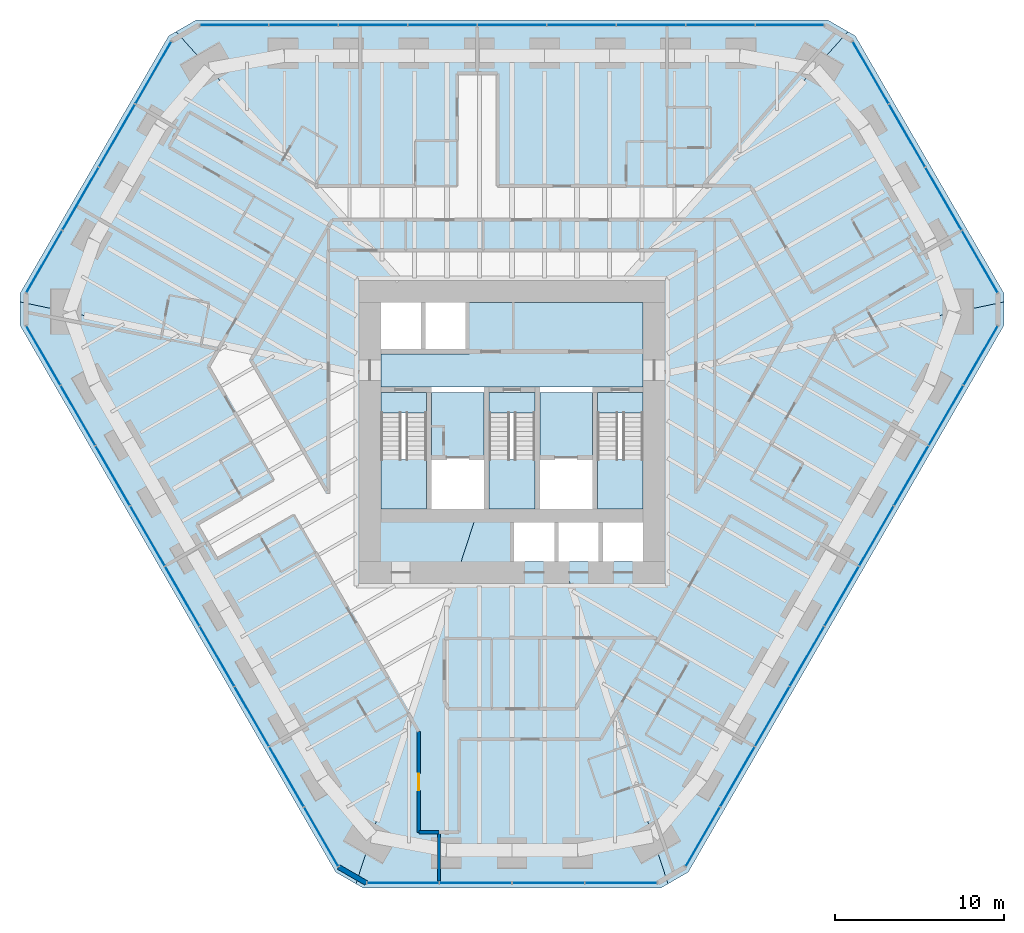
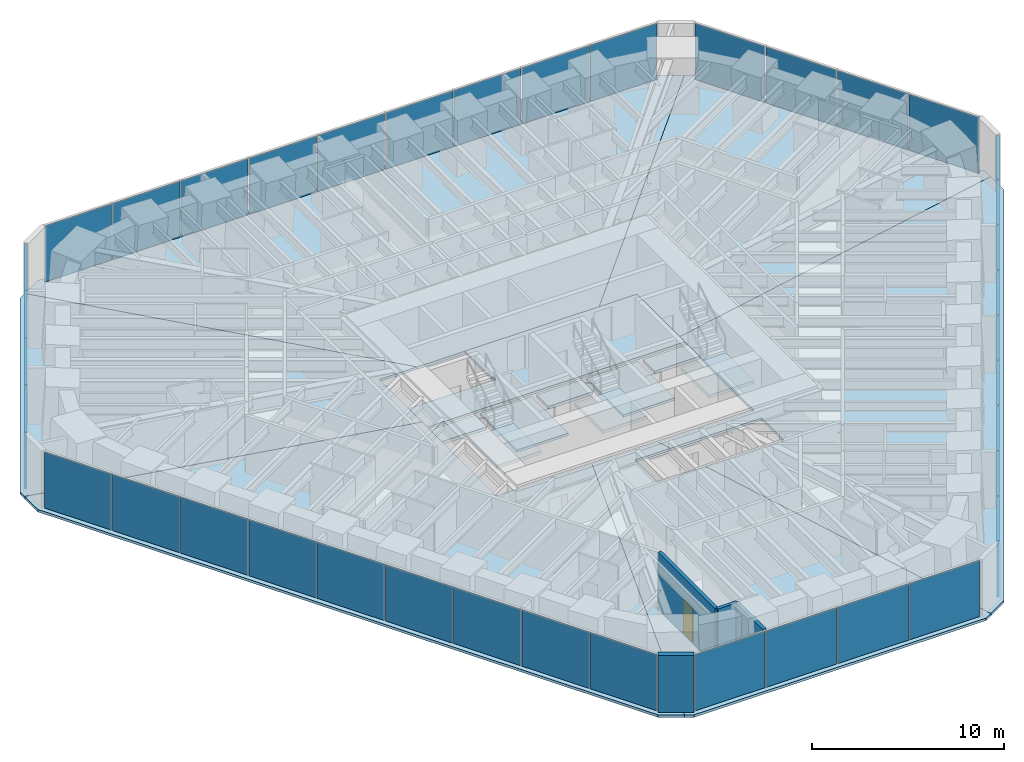
# One storey, part 10 of 18: 39 plates, 15 slabs, 4 walls, 1 door, 1 opening, 9 elements without a shape of their own.
"""IFC4 building model written with IfcOpenShell, lengths in metres."""

import ifcopenshell
import ifcopenshell.guid

model = None  # the IFC model being written
_history = None  # IfcOwnerHistory: only IFC2X3 demands one
_inside = {}  # id of a spatial element -> (the spatial element, [elements in it])
_under = {}  # id of a project, library or spatial element -> (it, [spatial elements below it])
_declared = {}  # id of a project -> (the project, [libraries it declares])
_typed = {}  # id of a type object -> (the type object, [elements of that type])
_made_of = {}  # id of a material, layer set ... -> (it, [elements and type objects made of it])


def new_model(schema):
    """Start an empty IFC model of exactly this schema.

    Asked for "IFC4X3", IfcOpenShell would pick the latest addendum, in which some entities
    have other attributes; the version numbers below select the first issue.
    IFC2X3 requires an IfcOwnerHistory on every rooted entity: one is made here for all.
    """
    global model, _history
    if schema == "IFC4X3":
        model = ifcopenshell.file(schema_version=(4, 3, 0, 0))
    else:
        model = ifcopenshell.file(schema=schema)
    _inside.clear()
    _under.clear()
    _declared.clear()
    _typed.clear()
    _made_of.clear()
    _history = None
    if model.schema == "IFC2X3":
        org = make("IfcOrganization", Name="unknown")
        user = make(
            "IfcPersonAndOrganization",
            ThePerson=make("IfcPerson", FamilyName="unknown"),
            TheOrganization=org,
        )
        app = make(
            "IfcApplication",
            ApplicationDeveloper=org,
            Version="unknown",
            ApplicationFullName="unknown",
            ApplicationIdentifier="unknown",
        )
        _history = make(
            "IfcOwnerHistory",
            OwningUser=user,
            OwningApplication=app,
            ChangeAction="ADDED",
            CreationDate=0,
        )
    return model


def make(cls, **values):
    """One entity of the class cls with the attributes given. An attribute that is None is left unset."""
    return model.create_entity(
        cls, **{name: value for name, value in values.items() if value is not None}
    )


def rooted(cls, **values):
    """An entity with a GlobalId (a new one), such as an element, a storey or a relation."""
    return make(cls, GlobalId=ifcopenshell.guid.new(), OwnerHistory=_history, **values)


def si_unit(unit_type, name, prefix=None):
    """IfcSIUnit, for example si_unit("LENGTHUNIT", "METRE", prefix="MILLI")."""
    return make("IfcSIUnit", UnitType=unit_type, Prefix=prefix, Name=name)


def assignment(units):
    """IfcUnitAssignment: the units of a project."""
    return None if units is None else make("IfcUnitAssignment", Units=units)


def point(xyz):
    """IfcCartesianPoint."""
    return None if xyz is None else make("IfcCartesianPoint", Coordinates=xyz)


def direction(xyz):
    """IfcDirection."""
    return None if xyz is None else make("IfcDirection", DirectionRatios=xyz)


def frame(location, z_axis=None, x_axis=None):
    """IfcAxis2Placement3D, a coordinate frame: its origin and axes. An axis left out is left unset."""
    return make(
        "IfcAxis2Placement3D",
        Location=point(location),
        Axis=direction(z_axis),
        RefDirection=direction(x_axis),
    )


def frame_2d(location, x_axis=None):
    """IfcAxis2Placement2D, a coordinate frame in the plane: its origin and x axis."""
    return make(
        "IfcAxis2Placement2D", Location=point(location), RefDirection=direction(x_axis)
    )


def origin():
    """The frame at (0, 0, 0) with its axes left unset."""
    return frame((0.0, 0.0, 0.0))


def origin_2d():
    """The frame at (0, 0) in the plane with its x axis left unset."""
    return frame_2d((0.0, 0.0))


def place(relative_to, where):
    """IfcLocalPlacement: puts the frame where relative to a parent placement (None: the world)."""
    return make(
        "IfcLocalPlacement", PlacementRelTo=relative_to, RelativePlacement=where
    )


def context(
    kind, dimensions, precision=None, world=None, true_north=None, identifier=None
):
    """IfcGeometricRepresentationContext, for example the 3D "Model" context."""
    return make(
        "IfcGeometricRepresentationContext",
        ContextIdentifier=identifier,
        ContextType=kind,
        CoordinateSpaceDimension=dimensions,
        Precision=precision,
        WorldCoordinateSystem=world,
        TrueNorth=true_north,
    )


def subcontext(parent, identifier, kind, view, scale=None):
    """IfcGeometricRepresentationSubContext, for example "Body" below "Model"."""
    return make(
        "IfcGeometricRepresentationSubContext",
        ContextIdentifier=identifier,
        ContextType=kind,
        ParentContext=parent,
        TargetScale=scale,
        TargetView=view,
    )


def project(units=None, contexts=None):
    """IfcProject with its units and contexts."""
    return rooted(
        "IfcProject",
        Name="project",
        RepresentationContexts=contexts,
        UnitsInContext=assignment(units),
    )


def spatial(cls, under=None, at=None, **own):
    """A site, building, storey or space (cls), placed at a placement, below another one or the project."""
    s = rooted(cls, ObjectPlacement=at, **own)
    if under is not None:
        _under.setdefault(under.id(), (under, []))[1].append(s)
    return s


def polyline(points):
    """IfcPolyline through the points."""
    return make("IfcPolyline", Points=[point(p) for p in points])


def profile(cls, at=None, kind="AREA", **sizes):
    """A parametric profile (cls). Its sizes go by their IFC names, for example OverallWidth=200.0."""
    return make(cls, ProfileType=kind, Position=at, **sizes)


def rectangle(**sizes):
    """IfcRectangleProfileDef."""
    return profile("IfcRectangleProfileDef", **sizes)


def outline(outer, holes=None, kind="AREA"):
    """IfcArbitraryClosedProfileDef: a profile drawn as a closed curve; with holes, ...WithVoids."""
    if holes is None:
        return make("IfcArbitraryClosedProfileDef", ProfileType=kind, OuterCurve=outer)
    return make(
        "IfcArbitraryProfileDefWithVoids",
        ProfileType=kind,
        OuterCurve=outer,
        InnerCurves=holes,
    )


def extrude(swept, where, along, depth):
    """IfcExtrudedAreaSolid: the profile swept, set in the frame where, extruded along a direction by depth."""
    return make(
        "IfcExtrudedAreaSolid",
        SweptArea=swept,
        Position=where,
        ExtrudedDirection=direction(along),
        Depth=depth,
    )


def shape(context_of_items, identifier, shape_type, items):
    """IfcShapeRepresentation: the items that make up one representation, for example the "Body"."""
    return make(
        "IfcShapeRepresentation",
        ContextOfItems=context_of_items,
        RepresentationIdentifier=identifier,
        RepresentationType=shape_type,
        Items=items,
    )


def material(Name=None, Category=None):
    """IfcMaterial."""
    return make("IfcMaterial", Name=Name, Category=Category)


def layer(
    of_material, thickness, ventilated=None, Name=None, Category=None, Priority=None
):
    """IfcMaterialLayer: one layer of a wall or slab, of a material (None: an air gap)."""
    return make(
        "IfcMaterialLayer",
        Material=of_material,
        LayerThickness=thickness,
        IsVentilated=ventilated,
        Name=Name,
        Category=Category,
        Priority=Priority,
    )


def layer_set(layers, Name=None):
    """IfcMaterialLayerSet."""
    return make("IfcMaterialLayerSet", MaterialLayers=layers, LayerSetName=Name)


def made_of(thing, what):
    """Note that an element or type object is made of a material, layer set ...; save() writes the relation."""
    if what is not None:
        _made_of.setdefault(what.id(), (what, []))[1].append(thing)
    return thing


def type_object(cls, material=None, **own):
    """A type object (cls), such as IfcWallType, which elements share."""
    return made_of(rooted(cls, **own), material)


def element(
    cls,
    number,
    at=None,
    inside=None,
    cuts=None,
    type_object=None,
    material=None,
    context=None,
    identifier="Body",
    shape_type=None,
    held_by="IfcProductDefinitionShape",
    body=None,
    shapes=None,
    **own,
):
    """One element of the class cls, such as IfcWall. Its Tag is "e" and its number.

    at: its placement. inside: the storey or other place that contains it. cuts: it is an
    opening in that element (IfcRelVoidsElement). A single representation is given by context,
    identifier, shape_type and body (its items); several are given by shapes. held_by: the class
    of the entity that holds the representations. save() writes the other relations.
    """
    e = rooted(cls, Tag="e%d" % number, ObjectPlacement=at, **own)
    if body is not None:
        shapes = [shape(context, identifier, shape_type, body)]
    if shapes is not None:
        e.Representation = make(held_by, Representations=shapes)
    if inside is not None:
        _inside.setdefault(inside.id(), (inside, []))[1].append(e)
    if cuts is not None:
        rooted(
            "IfcRelVoidsElement", RelatingBuildingElement=cuts, RelatedOpeningElement=e
        )
    if type_object is not None:
        _typed.setdefault(type_object.id(), (type_object, []))[1].append(e)
    return made_of(e, material)


def fill(opening, filler):
    """IfcRelFillsElement: the door or window that sits in an opening."""
    return rooted(
        "IfcRelFillsElement",
        RelatingOpeningElement=opening,
        RelatedBuildingElement=filler,
    )


def aggregate(whole, parts):
    """IfcRelAggregates: a whole, such as a stair, and the parts it consists of."""
    return rooted("IfcRelAggregates", RelatingObject=whole, RelatedObjects=parts)


def save(model, path):
    """Write the relations noted so far, then the file.

    IfcRelAggregates (storeys below a building ...), IfcRelContainedInSpatialStructure (elements
    in a storey), IfcRelDefinesByType, IfcRelAssociatesMaterial and IfcRelDeclares: one each for
    every whole, place, type object, material and project.
    """
    for whole, parts in _under.values():
        aggregate(whole, parts)
    for where, things in _inside.values():
        rooted(
            "IfcRelContainedInSpatialStructure",
            RelatedElements=things,
            RelatingStructure=where,
        )
    for kind, things in _typed.values():
        rooted("IfcRelDefinesByType", RelatedObjects=things, RelatingType=kind)
    for what, things in _made_of.values():
        rooted("IfcRelAssociatesMaterial", RelatedObjects=things, RelatingMaterial=what)
    for by, libraries in _declared.values():
        rooted("IfcRelDeclares", RelatingContext=by, RelatedDefinitions=libraries)
    model.write(path)


model = new_model("IFC4")

# Units and contexts
model_context = context("Model", 3, precision=1e-05, world=origin(), true_north=direction((0.0, 1.0)))
body_context = subcontext(model_context, "Body", "Model", "MODEL_VIEW")
ifc_project = project(units=[si_unit("LENGTHUNIT", "METRE"), si_unit("AREAUNIT", "SQUARE_METRE"), si_unit("VOLUMEUNIT", "CUBIC_METRE"), si_unit("PLANEANGLEUNIT", "RADIAN"), si_unit("MASSUNIT", "GRAM", prefix="KILO")], contexts=[model_context])

# Site, building, storey
site_placement = place(None, origin())
site = spatial("IfcSite", under=ifc_project, at=site_placement, CompositionType="ELEMENT")
building_placement = place(site_placement, origin())
building = spatial("IfcBuilding", under=site, at=building_placement, Name="Sandreach Pilgrim Tower", CompositionType="ELEMENT")
storey_placement = place(building_placement, frame((0.0, 0.0, 157.60009765625)))
storey = spatial("IfcBuildingStorey", under=building, at=storey_placement, Name="L39", CompositionType="ELEMENT", Elevation=157.60009765625)

# Curtain wall, plates
ifc_material_1 = material(Name="Aluminium framed curtain wall", Category="aluminium")
curtain_wall_type = type_object("IfcCurtainWallType", Name="Hotel tower curtain wall", PredefinedType="NOTDEFINED", material=ifc_material_1)
curtain_wall_1_placement = place(storey_placement, origin())
curtain_wall_1 = element("IfcCurtainWall", 1, at=curtain_wall_1_placement, inside=storey, type_object=curtain_wall_type, Name="CW-2 L39 N", PredefinedType="NOTDEFINED")
ifc_material_2 = material(Name="Insulating glass unit 8 heat-strengthened + 16 argon + 8 heat-strengthened", Category="glass")
ifc_layer_1 = layer(ifc_material_2, 0.031982421875)
ifc_layer_set_1 = layer_set([ifc_layer_1], Name="CW-2 panel")
plate_type = type_object("IfcPlateType", Name="CW-2 panel", PredefinedType="CURTAIN_PANEL", material=ifc_layer_set_1)
plate_1_placement = place(storey_placement, frame((-16.41162109375, 22.493896484375, 0.0), z_axis=(0.0, 0.0, 1.0), x_axis=(1.0, 0.0, 0.0)))
plate_1 = element("IfcPlate", 2, at=plate_1_placement, type_object=plate_type, Name="CW-2 panel 1", PredefinedType="CURTAIN_PANEL", context=body_context, shape_type="SweptSolid", body=[
    extrude(rectangle(XDim=4.009521484375, YDim=0.031982421875, at=origin_2d()), origin(), (0.0, 0.0, 1.0), 3.570068359375),
])
plate_2_placement = place(storey_placement, frame((-12.32080078125, 22.493896484375, 0.0), z_axis=(0.0, 0.0, 1.0), x_axis=(1.0, 0.0, 0.0)))
plate_2 = element("IfcPlate", 3, at=plate_2_placement, type_object=plate_type, Name="CW-2 panel 2", PredefinedType="CURTAIN_PANEL", context=body_context, shape_type="SweptSolid", body=[
    extrude(rectangle(XDim=4.0419921875, YDim=0.031982421875, at=origin_2d()), origin(), (0.0, 0.0, 1.0), 3.570068359375),
])
plate_3_placement = place(storey_placement, frame((-8.2138671875, 22.493896484375, 0.0), z_axis=(0.0, 0.0, 1.0), x_axis=(1.0, 0.0, 0.0)))
plate_3 = element("IfcPlate", 4, at=plate_3_placement, type_object=plate_type, Name="CW-2 panel 3", PredefinedType="CURTAIN_PANEL", context=body_context, shape_type="SweptSolid", body=[
    extrude(rectangle(XDim=4.0419921875, YDim=0.031982421875, at=origin_2d()), origin(), (0.0, 0.0, 1.0), 3.570068359375),
])
plate_4_placement = place(storey_placement, frame((-4.10693359375, 22.493896484375, 0.0), z_axis=(0.0, 0.0, 1.0), x_axis=(1.0, 0.0, 0.0)))
plate_4 = element("IfcPlate", 5, at=plate_4_placement, type_object=plate_type, Name="CW-2 panel 4", PredefinedType="CURTAIN_PANEL", context=body_context, shape_type="SweptSolid", body=[
    extrude(rectangle(XDim=4.0419921875, YDim=0.031982421875, at=origin_2d()), origin(), (0.0, 0.0, 1.0), 3.570068359375),
])
plate_5_placement = place(storey_placement, frame((0.0, 22.493896484375, 0.0), z_axis=(0.0, 0.0, 1.0), x_axis=(1.0, 0.0, 0.0)))
plate_5 = element("IfcPlate", 6, at=plate_5_placement, type_object=plate_type, Name="CW-2 panel 5", PredefinedType="CURTAIN_PANEL", context=body_context, shape_type="SweptSolid", body=[
    extrude(rectangle(XDim=4.0419921875, YDim=0.031982421875, at=origin_2d()), origin(), (0.0, 0.0, 1.0), 3.570068359375),
])
plate_6_placement = place(storey_placement, frame((4.10693359375, 22.493896484375, 0.0), z_axis=(0.0, 0.0, 1.0), x_axis=(1.0, 0.0, 0.0)))
plate_6 = element("IfcPlate", 7, at=plate_6_placement, type_object=plate_type, Name="CW-2 panel 6", PredefinedType="CURTAIN_PANEL", context=body_context, shape_type="SweptSolid", body=[
    extrude(rectangle(XDim=4.0419921875, YDim=0.031982421875, at=origin_2d()), origin(), (0.0, 0.0, 1.0), 3.570068359375),
])
plate_7_placement = place(storey_placement, frame((8.2138671875, 22.493896484375, 0.0), z_axis=(0.0, 0.0, 1.0), x_axis=(1.0, 0.0, 0.0)))
plate_7 = element("IfcPlate", 8, at=plate_7_placement, type_object=plate_type, Name="CW-2 panel 7", PredefinedType="CURTAIN_PANEL", context=body_context, shape_type="SweptSolid", body=[
    extrude(rectangle(XDim=4.0419921875, YDim=0.031982421875, at=origin_2d()), origin(), (0.0, 0.0, 1.0), 3.570068359375),
])
plate_8_placement = place(storey_placement, frame((12.32080078125, 22.493896484375, 0.0), z_axis=(0.0, 0.0, 1.0), x_axis=(1.0, 0.0, 0.0)))
plate_8 = element("IfcPlate", 9, at=plate_8_placement, type_object=plate_type, Name="CW-2 panel 8", PredefinedType="CURTAIN_PANEL", context=body_context, shape_type="SweptSolid", body=[
    extrude(rectangle(XDim=4.0419921875, YDim=0.031982421875, at=origin_2d()), origin(), (0.0, 0.0, 1.0), 3.570068359375),
])
plate_9_placement = place(storey_placement, frame((16.41162109375, 22.493896484375, 0.0), z_axis=(0.0, 0.0, 1.0), x_axis=(1.0, 0.0, 0.0)))
plate_9 = element("IfcPlate", 10, at=plate_9_placement, type_object=plate_type, Name="CW-2 panel 9", PredefinedType="CURTAIN_PANEL", context=body_context, shape_type="SweptSolid", body=[
    extrude(rectangle(XDim=4.009521484375, YDim=0.031982421875, at=origin_2d()), origin(), (0.0, 0.0, 1.0), 3.570068359375),
])
aggregate(curtain_wall_1, [plate_1, plate_2, plate_3, plate_4, plate_5, plate_6, plate_7, plate_8, plate_9])

curtain_wall_2_placement = place(storey_placement, origin())
curtain_wall_2 = element("IfcCurtainWall", 11, at=curtain_wall_2_placement, inside=storey, type_object=curtain_wall_type, Name="CW-2 L39 NE", PredefinedType="NOTDEFINED")
plate_10_placement = place(storey_placement, frame((21.194091796875, 19.67529296875, 0.0), z_axis=(0.0, 0.0, 1.0), x_axis=(0.5, -0.866025403784, 0.0)))
plate_10 = element("IfcPlate", 12, at=plate_10_placement, type_object=plate_type, Name="CW-2 panel 1", PredefinedType="CURTAIN_PANEL", context=body_context, shape_type="SweptSolid", body=[
    extrude(rectangle(XDim=4.208251953125, YDim=0.031982421875, at=origin_2d()), origin(), (0.0, 0.0, 1.0), 3.570068359375),
])
plate_11_placement = place(storey_placement, frame((23.3388671875, 15.96044921875, 0.0), z_axis=(0.0, 0.0, 1.0), x_axis=(0.5, -0.866025403784, 0.0)))
plate_11 = element("IfcPlate", 13, at=plate_11_placement, type_object=plate_type, Name="CW-2 panel 2", PredefinedType="CURTAIN_PANEL", context=body_context, shape_type="SweptSolid", body=[
    extrude(rectangle(XDim=4.24072265625, YDim=0.031982421875, at=origin_2d()), origin(), (0.0, 0.0, 1.0), 3.570068359375),
])
plate_12_placement = place(storey_placement, frame((25.49169921875, 12.231689453125, 0.0), z_axis=(0.0, 0.0, 1.0), x_axis=(0.5, -0.866025403784, 0.0)))
plate_12 = element("IfcPlate", 14, at=plate_12_placement, type_object=plate_type, Name="CW-2 panel 3", PredefinedType="CURTAIN_PANEL", context=body_context, shape_type="SweptSolid", body=[
    extrude(rectangle(XDim=4.24072265625, YDim=0.031982421875, at=origin_2d()), origin(), (0.0, 0.0, 1.0), 3.570068359375),
])
plate_13_placement = place(storey_placement, frame((27.63623046875, 8.516845703125, 0.0), z_axis=(0.0, 0.0, 1.0), x_axis=(0.5, -0.866025403784, 0.0)))
plate_13 = element("IfcPlate", 15, at=plate_13_placement, type_object=plate_type, Name="CW-2 panel 4", PredefinedType="CURTAIN_PANEL", context=body_context, shape_type="SweptSolid", body=[
    extrude(rectangle(XDim=4.208251953125, YDim=0.031982421875, at=origin_2d()), origin(), (0.0, 0.0, 1.0), 3.570068359375),
])
aggregate(curtain_wall_2, [plate_10, plate_11, plate_12, plate_13])

curtain_wall_3_placement = place(storey_placement, origin())
curtain_wall_3 = element("IfcCurtainWall", 16, at=curtain_wall_3_placement, inside=storey, type_object=curtain_wall_type, Name="CW-2 L39 SE", PredefinedType="NOTDEFINED")
plate_14_placement = place(storey_placement, frame((27.68603515625, 2.966064453125, 0.0), z_axis=(0.0, 0.0, 1.0), x_axis=(-0.5, -0.866025403784, 0.0)))
plate_14 = element("IfcPlate", 17, at=plate_14_placement, type_object=plate_type, Name="CW-2 panel 1", PredefinedType="CURTAIN_PANEL", context=body_context, shape_type="SweptSolid", body=[
    extrude(rectangle(XDim=4.009521484375, YDim=0.031982421875, at=origin_2d()), origin(), (0.0, 0.0, 1.0), 3.570068359375),
])
plate_15_placement = place(storey_placement, frame((25.640625, -0.57666015625, 0.0), z_axis=(0.0, 0.0, 1.0), x_axis=(-0.5, -0.866025403784, 0.0)))
plate_15 = element("IfcPlate", 18, at=plate_15_placement, type_object=plate_type, Name="CW-2 panel 2", PredefinedType="CURTAIN_PANEL", context=body_context, shape_type="SweptSolid", body=[
    extrude(rectangle(XDim=4.0419921875, YDim=0.031982421875, at=origin_2d()), origin(), (0.0, 0.0, 1.0), 3.570068359375),
])
plate_16_placement = place(storey_placement, frame((23.587158203125, -4.13330078125, 0.0), z_axis=(0.0, 0.0, 1.0), x_axis=(-0.5, -0.866025403784, 0.0)))
plate_16 = element("IfcPlate", 19, at=plate_16_placement, type_object=plate_type, Name="CW-2 panel 3", PredefinedType="CURTAIN_PANEL", context=body_context, shape_type="SweptSolid", body=[
    extrude(rectangle(XDim=4.0419921875, YDim=0.031982421875, at=origin_2d()), origin(), (0.0, 0.0, 1.0), 3.570068359375),
])
plate_17_placement = place(storey_placement, frame((21.53369140625, -7.690185546875, 0.0), z_axis=(0.0, 0.0, 1.0), x_axis=(-0.5, -0.866025403784, 0.0)))
plate_17 = element("IfcPlate", 20, at=plate_17_placement, type_object=plate_type, Name="CW-2 panel 4", PredefinedType="CURTAIN_PANEL", context=body_context, shape_type="SweptSolid", body=[
    extrude(rectangle(XDim=4.0419921875, YDim=0.031982421875, at=origin_2d()), origin(), (0.0, 0.0, 1.0), 3.570068359375),
])
plate_18_placement = place(storey_placement, frame((19.480224609375, -11.246826171875, 0.0), z_axis=(0.0, 0.0, 1.0), x_axis=(-0.5, -0.866025403784, 0.0)))
plate_18 = element("IfcPlate", 21, at=plate_18_placement, type_object=plate_type, Name="CW-2 panel 5", PredefinedType="CURTAIN_PANEL", context=body_context, shape_type="SweptSolid", body=[
    extrude(rectangle(XDim=4.0419921875, YDim=0.031982421875, at=origin_2d()), origin(), (0.0, 0.0, 1.0), 3.570068359375),
])
plate_19_placement = place(storey_placement, frame((17.4267578125, -14.8037109375, 0.0), z_axis=(0.0, 0.0, 1.0), x_axis=(-0.5, -0.866025403784, 0.0)))
plate_19 = element("IfcPlate", 22, at=plate_19_placement, type_object=plate_type, Name="CW-2 panel 6", PredefinedType="CURTAIN_PANEL", context=body_context, shape_type="SweptSolid", body=[
    extrude(rectangle(XDim=4.0419921875, YDim=0.031982421875, at=origin_2d()), origin(), (0.0, 0.0, 1.0), 3.570068359375),
])
plate_20_placement = place(storey_placement, frame((15.373291015625, -18.3603515625, 0.0), z_axis=(0.0, 0.0, 1.0), x_axis=(-0.5, -0.866025403784, 0.0)))
plate_20 = element("IfcPlate", 23, at=plate_20_placement, type_object=plate_type, Name="CW-2 panel 7", PredefinedType="CURTAIN_PANEL", context=body_context, shape_type="SweptSolid", body=[
    extrude(rectangle(XDim=4.0419921875, YDim=0.031982421875, at=origin_2d()), origin(), (0.0, 0.0, 1.0), 3.570068359375),
])
plate_21_placement = place(storey_placement, frame((13.31982421875, -21.917236328125, 0.0), z_axis=(0.0, 0.0, 1.0), x_axis=(-0.5, -0.866025403784, 0.0)))
plate_21 = element("IfcPlate", 24, at=plate_21_placement, type_object=plate_type, Name="CW-2 panel 8", PredefinedType="CURTAIN_PANEL", context=body_context, shape_type="SweptSolid", body=[
    extrude(rectangle(XDim=4.0419921875, YDim=0.031982421875, at=origin_2d()), origin(), (0.0, 0.0, 1.0), 3.570068359375),
])
plate_22_placement = place(storey_placement, frame((11.2744140625, -25.459716796875, 0.0), z_axis=(0.0, 0.0, 1.0), x_axis=(-0.5, -0.866025403784, 0.0)))
plate_22 = element("IfcPlate", 25, at=plate_22_placement, type_object=plate_type, Name="CW-2 panel 9", PredefinedType="CURTAIN_PANEL", context=body_context, shape_type="SweptSolid", body=[
    extrude(rectangle(XDim=4.009521484375, YDim=0.031982421875, at=origin_2d()), origin(), (0.0, 0.0, 1.0), 3.570068359375),
])
aggregate(curtain_wall_3, [plate_14, plate_15, plate_16, plate_17, plate_18, plate_19, plate_20, plate_21, plate_22])

curtain_wall_4_placement = place(storey_placement, origin())
curtain_wall_4 = element("IfcCurtainWall", 26, at=curtain_wall_4_placement, inside=storey, type_object=curtain_wall_type, Name="CW-2 L39 S", PredefinedType="NOTDEFINED")
plate_23_placement = place(storey_placement, frame((6.4423828125, -28.192138671875, 0.0), z_axis=(0.0, 0.0, 1.0), x_axis=(-1.0, 0.0, 0.0)))
plate_23 = element("IfcPlate", 27, at=plate_23_placement, type_object=plate_type, Name="CW-2 panel 1", PredefinedType="CURTAIN_PANEL", context=body_context, shape_type="SweptSolid", body=[
    extrude(rectangle(XDim=4.208251953125, YDim=0.031982421875, at=origin_2d()), origin(), (0.0, 0.0, 1.0), 3.570068359375),
])
plate_24_placement = place(storey_placement, frame((2.15283203125, -28.192138671875, 0.0), z_axis=(0.0, 0.0, 1.0), x_axis=(-1.0, 0.0, 0.0)))
plate_24 = element("IfcPlate", 28, at=plate_24_placement, type_object=plate_type, Name="CW-2 panel 2", PredefinedType="CURTAIN_PANEL", context=body_context, shape_type="SweptSolid", body=[
    extrude(rectangle(XDim=4.24072265625, YDim=0.031982421875, at=origin_2d()), origin(), (0.0, 0.0, 1.0), 3.570068359375),
])
plate_25_placement = place(storey_placement, frame((-2.15283203125, -28.192138671875, 0.0), z_axis=(0.0, 0.0, 1.0), x_axis=(-1.0, 0.0, 0.0)))
plate_25 = element("IfcPlate", 29, at=plate_25_placement, type_object=plate_type, Name="CW-2 panel 3", PredefinedType="CURTAIN_PANEL", context=body_context, shape_type="SweptSolid", body=[
    extrude(rectangle(XDim=4.24072265625, YDim=0.031982421875, at=origin_2d()), origin(), (0.0, 0.0, 1.0), 3.570068359375),
])
plate_26_placement = place(storey_placement, frame((-6.4423828125, -28.192138671875, 0.0), z_axis=(0.0, 0.0, 1.0), x_axis=(-1.0, 0.0, 0.0)))
plate_26 = element("IfcPlate", 30, at=plate_26_placement, type_object=plate_type, Name="CW-2 panel 4", PredefinedType="CURTAIN_PANEL", context=body_context, shape_type="SweptSolid", body=[
    extrude(rectangle(XDim=4.208251953125, YDim=0.031982421875, at=origin_2d()), origin(), (0.0, 0.0, 1.0), 3.570068359375),
])
aggregate(curtain_wall_4, [plate_23, plate_24, plate_25, plate_26])

curtain_wall_5_placement = place(storey_placement, origin())
curtain_wall_5 = element("IfcCurtainWall", 31, at=curtain_wall_5_placement, inside=storey, type_object=curtain_wall_type, Name="CW-2 L39 SW", PredefinedType="NOTDEFINED")
plate_27_placement = place(storey_placement, frame((-11.2744140625, -25.459716796875, 0.0), z_axis=(0.0, 0.0, 1.0), x_axis=(-0.5, 0.866025403784, 0.0)))
plate_27 = element("IfcPlate", 32, at=plate_27_placement, type_object=plate_type, Name="CW-2 panel 1", PredefinedType="CURTAIN_PANEL", context=body_context, shape_type="SweptSolid", body=[
    extrude(rectangle(XDim=4.009521484375, YDim=0.031982421875, at=origin_2d()), origin(), (0.0, 0.0, 1.0), 3.570068359375),
])
plate_28_placement = place(storey_placement, frame((-13.31982421875, -21.917236328125, 0.0), z_axis=(0.0, 0.0, 1.0), x_axis=(-0.5, 0.866025403784, 0.0)))
plate_28 = element("IfcPlate", 33, at=plate_28_placement, type_object=plate_type, Name="CW-2 panel 2", PredefinedType="CURTAIN_PANEL", context=body_context, shape_type="SweptSolid", body=[
    extrude(rectangle(XDim=4.0419921875, YDim=0.031982421875, at=origin_2d()), origin(), (0.0, 0.0, 1.0), 3.570068359375),
])
plate_29_placement = place(storey_placement, frame((-15.373291015625, -18.3603515625, 0.0), z_axis=(0.0, 0.0, 1.0), x_axis=(-0.5, 0.866025403784, 0.0)))
plate_29 = element("IfcPlate", 34, at=plate_29_placement, type_object=plate_type, Name="CW-2 panel 3", PredefinedType="CURTAIN_PANEL", context=body_context, shape_type="SweptSolid", body=[
    extrude(rectangle(XDim=4.0419921875, YDim=0.031982421875, at=origin_2d()), origin(), (0.0, 0.0, 1.0), 3.570068359375),
])
plate_30_placement = place(storey_placement, frame((-17.4267578125, -14.8037109375, 0.0), z_axis=(0.0, 0.0, 1.0), x_axis=(-0.5, 0.866025403784, 0.0)))
plate_30 = element("IfcPlate", 35, at=plate_30_placement, type_object=plate_type, Name="CW-2 panel 4", PredefinedType="CURTAIN_PANEL", context=body_context, shape_type="SweptSolid", body=[
    extrude(rectangle(XDim=4.0419921875, YDim=0.031982421875, at=origin_2d()), origin(), (0.0, 0.0, 1.0), 3.570068359375),
])
plate_31_placement = place(storey_placement, frame((-19.480224609375, -11.246826171875, 0.0), z_axis=(0.0, 0.0, 1.0), x_axis=(-0.5, 0.866025403784, 0.0)))
plate_31 = element("IfcPlate", 36, at=plate_31_placement, type_object=plate_type, Name="CW-2 panel 5", PredefinedType="CURTAIN_PANEL", context=body_context, shape_type="SweptSolid", body=[
    extrude(rectangle(XDim=4.0419921875, YDim=0.031982421875, at=origin_2d()), origin(), (0.0, 0.0, 1.0), 3.570068359375),
])
plate_32_placement = place(storey_placement, frame((-21.53369140625, -7.690185546875, 0.0), z_axis=(0.0, 0.0, 1.0), x_axis=(-0.5, 0.866025403784, 0.0)))
plate_32 = element("IfcPlate", 37, at=plate_32_placement, type_object=plate_type, Name="CW-2 panel 6", PredefinedType="CURTAIN_PANEL", context=body_context, shape_type="SweptSolid", body=[
    extrude(rectangle(XDim=4.0419921875, YDim=0.031982421875, at=origin_2d()), origin(), (0.0, 0.0, 1.0), 3.570068359375),
])
plate_33_placement = place(storey_placement, frame((-23.587158203125, -4.13330078125, 0.0), z_axis=(0.0, 0.0, 1.0), x_axis=(-0.5, 0.866025403784, 0.0)))
plate_33 = element("IfcPlate", 38, at=plate_33_placement, type_object=plate_type, Name="CW-2 panel 7", PredefinedType="CURTAIN_PANEL", context=body_context, shape_type="SweptSolid", body=[
    extrude(rectangle(XDim=4.0419921875, YDim=0.031982421875, at=origin_2d()), origin(), (0.0, 0.0, 1.0), 3.570068359375),
])
plate_34_placement = place(storey_placement, frame((-25.640625, -0.57666015625, 0.0), z_axis=(0.0, 0.0, 1.0), x_axis=(-0.5, 0.866025403784, 0.0)))
plate_34 = element("IfcPlate", 39, at=plate_34_placement, type_object=plate_type, Name="CW-2 panel 8", PredefinedType="CURTAIN_PANEL", context=body_context, shape_type="SweptSolid", body=[
    extrude(rectangle(XDim=4.0419921875, YDim=0.031982421875, at=origin_2d()), origin(), (0.0, 0.0, 1.0), 3.570068359375),
])
plate_35_placement = place(storey_placement, frame((-27.68603515625, 2.966064453125, 0.0), z_axis=(0.0, 0.0, 1.0), x_axis=(-0.5, 0.866025403784, 0.0)))
plate_35 = element("IfcPlate", 40, at=plate_35_placement, type_object=plate_type, Name="CW-2 panel 9", PredefinedType="CURTAIN_PANEL", context=body_context, shape_type="SweptSolid", body=[
    extrude(rectangle(XDim=4.009521484375, YDim=0.031982421875, at=origin_2d()), origin(), (0.0, 0.0, 1.0), 3.570068359375),
])
aggregate(curtain_wall_5, [plate_27, plate_28, plate_29, plate_30, plate_31, plate_32, plate_33, plate_34, plate_35])

curtain_wall_6_placement = place(storey_placement, origin())
curtain_wall_6 = element("IfcCurtainWall", 41, at=curtain_wall_6_placement, inside=storey, type_object=curtain_wall_type, Name="CW-2 L39 NW", PredefinedType="NOTDEFINED")
plate_36_placement = place(storey_placement, frame((-27.63623046875, 8.516845703125, 0.0), z_axis=(0.0, 0.0, 1.0), x_axis=(0.5, 0.866025403784, 0.0)))
plate_36 = element("IfcPlate", 42, at=plate_36_placement, type_object=plate_type, Name="CW-2 panel 1", PredefinedType="CURTAIN_PANEL", context=body_context, shape_type="SweptSolid", body=[
    extrude(rectangle(XDim=4.208251953125, YDim=0.031982421875, at=origin_2d()), origin(), (0.0, 0.0, 1.0), 3.570068359375),
])
plate_37_placement = place(storey_placement, frame((-25.49169921875, 12.231689453125, 0.0), z_axis=(0.0, 0.0, 1.0), x_axis=(0.5, 0.866025403784, 0.0)))
plate_37 = element("IfcPlate", 43, at=plate_37_placement, type_object=plate_type, Name="CW-2 panel 2", PredefinedType="CURTAIN_PANEL", context=body_context, shape_type="SweptSolid", body=[
    extrude(rectangle(XDim=4.24072265625, YDim=0.031982421875, at=origin_2d()), origin(), (0.0, 0.0, 1.0), 3.570068359375),
])
plate_38_placement = place(storey_placement, frame((-23.3388671875, 15.96044921875, 0.0), z_axis=(0.0, 0.0, 1.0), x_axis=(0.5, 0.866025403784, 0.0)))
plate_38 = element("IfcPlate", 44, at=plate_38_placement, type_object=plate_type, Name="CW-2 panel 3", PredefinedType="CURTAIN_PANEL", context=body_context, shape_type="SweptSolid", body=[
    extrude(rectangle(XDim=4.24072265625, YDim=0.031982421875, at=origin_2d()), origin(), (0.0, 0.0, 1.0), 3.570068359375),
])
plate_39_placement = place(storey_placement, frame((-21.194091796875, 19.67529296875, 0.0), z_axis=(0.0, 0.0, 1.0), x_axis=(0.5, 0.866025403784, 0.0)))
plate_39 = element("IfcPlate", 45, at=plate_39_placement, type_object=plate_type, Name="CW-2 panel 4", PredefinedType="CURTAIN_PANEL", context=body_context, shape_type="SweptSolid", body=[
    extrude(rectangle(XDim=4.208251953125, YDim=0.031982421875, at=origin_2d()), origin(), (0.0, 0.0, 1.0), 3.570068359375),
])
aggregate(curtain_wall_6, [plate_36, plate_37, plate_38, plate_39])

# Slabs
ifc_material_3 = material(Name="Concrete 8000 psi", Category="concrete")
ifc_layer_2 = layer(ifc_material_3, 0.159912109375)
ifc_layer_set_2 = layer_set([ifc_layer_2], Name="Composite floor slab 160")
slab_type_1 = type_object("IfcSlabType", Name="Composite floor slab 160", PredefinedType="FLOOR", material=ifc_layer_set_2)
slab_1_placement = place(storey_placement, frame((0.0, 0.0, -0.16015625)))
element("IfcSlab", 46, at=slab_1_placement, inside=storey, type_object=slab_type_1, Name="Floor slab L39 N sector", PredefinedType="FLOOR", context=body_context, shape_type="SweptSolid", body=[
    extrude(outline(polyline([(-18.654541015625, 22.793701171875), (18.654541015625, 22.793701171875), (19.848388671875, 22.1044921875), (5.477294921875, 6.10009765625), (-5.477294921875, 6.10009765625), (-19.848388671875, 22.1044921875), (-18.654541015625, 22.793701171875)])), origin(), (0.0, 0.0, 1.0), 0.16015625),
])
slab_2_placement = place(storey_placement, frame((0.0, 0.0, -0.16015625)))
element("IfcSlab", 47, at=slab_2_placement, inside=storey, type_object=slab_type_1, Name="Floor slab L39 NE sector", PredefinedType="FLOOR", context=body_context, shape_type="SweptSolid", body=[
    extrude(outline(polyline([(20.28271484375, 21.853759765625), (29.0673828125, 6.638427734375), (29.0673828125, 6.13720703125), (7.75, 1.63623046875), (7.75, 6.10009765625), (5.477294921875, 6.10009765625), (19.848388671875, 22.1044921875), (20.28271484375, 21.853759765625)])), origin(), (0.0, 0.0, 1.0), 0.16015625),
])
slab_3_placement = place(storey_placement, frame((0.0, 0.0, -0.16015625)))
element("IfcSlab", 48, at=slab_3_placement, inside=storey, type_object=slab_type_1, Name="Floor slab L39 SE sector", PredefinedType="FLOOR", context=body_context, shape_type="SweptSolid", body=[
    extrude(outline(polyline([(29.0673828125, 4.75830078125), (10.41259765625, -27.55224609375), (9.21875, -28.241455078125), (3.003173828125, -9.199951171875), (7.75, -9.199951171875), (7.75, -6.89990234375), (2.252197265625, -6.89990234375), (1.9912109375, -6.10009765625), (7.75, -6.10009765625), (7.75, 1.63623046875), (29.0673828125, 6.13720703125), (29.0673828125, 4.75830078125)])), origin(), (0.0, 0.0, 1.0), 0.16015625),
])
slab_4_placement = place(storey_placement, frame((0.0, 0.0, -0.16015625)))
element("IfcSlab", 49, at=slab_4_placement, inside=storey, type_object=slab_type_1, Name="Floor slab L39 S sector", PredefinedType="FLOOR", context=body_context, shape_type="SweptSolid", body=[
    extrude(outline(polyline([(8.78466796875, -28.4921875), (-8.78466796875, -28.4921875), (-9.21875, -28.241455078125), (-1.9912109375, -6.10009765625), (1.9912109375, -6.10009765625), (2.252197265625, -6.89990234375), (0.125, -6.89990234375), (0.125, -9.199951171875), (3.003173828125, -9.199951171875), (9.21875, -28.241455078125), (8.78466796875, -28.4921875)])), origin(), (0.0, 0.0, 1.0), 0.16015625),
])
slab_5_placement = place(storey_placement, frame((0.0, 0.0, -0.16015625)))
element("IfcSlab", 50, at=slab_5_placement, inside=storey, type_object=slab_type_1, Name="Floor slab L39 SW sector", PredefinedType="FLOOR", context=body_context, shape_type="SweptSolid", body=[
    extrude(outline(polyline([(-10.41259765625, -27.55224609375), (-29.0673828125, 4.75830078125), (-29.0673828125, 6.13720703125), (-7.75, 1.63623046875), (-7.75, -6.10009765625), (-1.9912109375, -6.10009765625), (-9.21875, -28.241455078125), (-10.41259765625, -27.55224609375)])), origin(), (0.0, 0.0, 1.0), 0.16015625),
])
slab_6_placement = place(storey_placement, frame((0.0, 0.0, -0.16015625)))
element("IfcSlab", 51, at=slab_6_placement, inside=storey, type_object=slab_type_1, Name="Floor slab L39 NW sector", PredefinedType="FLOOR", context=body_context, shape_type="SweptSolid", body=[
    extrude(outline(polyline([(-29.0673828125, 6.638427734375), (-20.28271484375, 21.853759765625), (-19.848388671875, 22.1044921875), (-5.477294921875, 6.10009765625), (-7.75, 6.10009765625), (-7.75, 1.63623046875), (-29.0673828125, 6.13720703125), (-29.0673828125, 6.638427734375)])), origin(), (0.0, 0.0, 1.0), 0.16015625),
])
slab_7_placement = place(storey_placement, frame((0.0, 0.0, -0.16015625)))
element("IfcSlab", 52, at=slab_7_placement, inside=storey, type_object=slab_type_1, Name="Core floor slab and stores L39", PredefinedType="FLOOR", context=body_context, shape_type="SweptSolid", body=[
    extrude(outline(polyline([(-7.75, 3.050048828125), (-5.375, 3.050048828125), (-5.125, 3.050048828125), (-2.5, 3.050048828125), (-2.5, 3.35009765625), (-2.60009765625, 3.35009765625), (-2.60009765625, 6.10009765625), (7.75, 6.10009765625), (7.75, 1.10009765625), (5.050048828125, 1.10009765625), (4.75, 1.10009765625), (1.64990234375, 1.10009765625), (1.35009765625, 1.10009765625), (-1.35009765625, 1.10009765625), (-1.64990234375, 1.10009765625), (-4.75, 1.10009765625), (-5.050048828125, 1.10009765625), (-7.75, 1.10009765625), (-7.75, 3.050048828125)])), origin(), (0.0, 0.0, 1.0), 0.16015625),
])
slab_8_placement = place(storey_placement, frame((0.0, 0.0, -0.16015625)))
element("IfcSlab", 53, at=slab_8_placement, inside=storey, type_object=slab_type_1, Name="Core floor slab and stores L39 2", PredefinedType="FLOOR", context=body_context, shape_type="SweptSolid", body=[
    extrude(outline(polyline([(-1.64990234375, -3.050048828125), (-4.75, -3.050048828125), (-4.75, 0.800048828125), (-1.64990234375, 0.800048828125), (-1.64990234375, -3.050048828125)])), origin(), (0.0, 0.0, 1.0), 0.16015625),
])
slab_9_placement = place(storey_placement, frame((0.0, 0.0, -0.16015625)))
element("IfcSlab", 54, at=slab_9_placement, inside=storey, type_object=slab_type_1, Name="Core floor slab and stores L39 3", PredefinedType="FLOOR", context=body_context, shape_type="SweptSolid", body=[
    extrude(outline(polyline([(4.75, -3.050048828125), (1.64990234375, -3.050048828125), (1.64990234375, 0.800048828125), (4.75, 0.800048828125), (4.75, -3.050048828125)])), origin(), (0.0, 0.0, 1.0), 0.16015625),
])

# Stair, slabs
ifc_material_4 = material(Name="Concrete 8000 psi", Category="concrete")
stair_type = type_object("IfcStairType", Name="Core exit stair", PredefinedType="HALF_TURN_STAIR", material=ifc_material_4)
stair_1_placement = place(storey_placement, origin())
stair_1 = element("IfcStair", 55, at=stair_1_placement, inside=storey, type_object=stair_type, Name="Exit stair ST1 L39", PredefinedType="HALF_TURN_STAIR")
ifc_material_5 = material(Name="Concrete 8000 psi", Category="concrete")
ifc_layer_3 = layer(ifc_material_5, 0.199951171875)
ifc_layer_set_3 = layer_set([ifc_layer_3], Name="Core stair landing 200")
slab_type_2 = type_object("IfcSlabType", Name="Core stair landing 200", PredefinedType="LANDING", material=ifc_layer_set_3)
slab_10_placement = place(storey_placement, frame((0.0, 0.0, -0.2001953125)))
slab_10 = element("IfcSlab", 56, at=slab_10_placement, type_object=slab_type_2, Name="ST1 landing 1", PredefinedType="LANDING", context=body_context, shape_type="SweptSolid", body=[
    extrude(outline(polyline([(-7.75, -0.425048828125), (-5.050048828125, -0.425048828125), (-5.050048828125, 0.800048828125), (-7.75, 0.800048828125), (-7.75, -0.425048828125)])), origin(), (0.0, 0.0, 1.0), 0.2001953125),
])
slab_11_placement = place(storey_placement, frame((0.0, 0.0, 1.699951171875)))
slab_11 = element("IfcSlab", 57, at=slab_11_placement, type_object=slab_type_2, Name="ST1 landing 2", PredefinedType="LANDING", context=body_context, shape_type="SweptSolid", body=[
    extrude(outline(polyline([(-7.75, -6.10009765625), (-5.050048828125, -6.10009765625), (-5.050048828125, -3.175048828125), (-7.75, -3.175048828125), (-7.75, -6.10009765625)])), origin(), (0.0, 0.0, 1.0), 0.199951171875),
])
aggregate(stair_1, [slab_10, slab_11])

stair_2_placement = place(storey_placement, origin())
stair_2 = element("IfcStair", 58, at=stair_2_placement, inside=storey, type_object=stair_type, Name="Exit stair ST3 L39", PredefinedType="HALF_TURN_STAIR")
slab_12_placement = place(storey_placement, frame((0.0, 0.0, -0.2001953125)))
slab_12 = element("IfcSlab", 59, at=slab_12_placement, type_object=slab_type_2, Name="ST3 landing 1", PredefinedType="LANDING", context=body_context, shape_type="SweptSolid", body=[
    extrude(outline(polyline([(-1.35009765625, -0.425048828125), (1.35009765625, -0.425048828125), (1.35009765625, 0.800048828125), (-1.35009765625, 0.800048828125), (-1.35009765625, -0.425048828125)])), origin(), (0.0, 0.0, 1.0), 0.2001953125),
])
slab_13_placement = place(storey_placement, frame((0.0, 0.0, 1.699951171875)))
slab_13 = element("IfcSlab", 60, at=slab_13_placement, type_object=slab_type_2, Name="ST3 landing 2", PredefinedType="LANDING", context=body_context, shape_type="SweptSolid", body=[
    extrude(outline(polyline([(-1.35009765625, -6.10009765625), (1.35009765625, -6.10009765625), (1.35009765625, -3.175048828125), (-1.35009765625, -3.175048828125), (-1.35009765625, -6.10009765625)])), origin(), (0.0, 0.0, 1.0), 0.199951171875),
])
aggregate(stair_2, [slab_12, slab_13])

stair_3_placement = place(storey_placement, origin())
stair_3 = element("IfcStair", 61, at=stair_3_placement, inside=storey, type_object=stair_type, Name="Exit stair ST2 L39", PredefinedType="HALF_TURN_STAIR")
slab_14_placement = place(storey_placement, frame((0.0, 0.0, -0.2001953125)))
slab_14 = element("IfcSlab", 62, at=slab_14_placement, type_object=slab_type_2, Name="ST2 landing 1", PredefinedType="LANDING", context=body_context, shape_type="SweptSolid", body=[
    extrude(outline(polyline([(5.050048828125, -0.425048828125), (7.75, -0.425048828125), (7.75, 0.800048828125), (5.050048828125, 0.800048828125), (5.050048828125, -0.425048828125)])), origin(), (0.0, 0.0, 1.0), 0.2001953125),
])
slab_15_placement = place(storey_placement, frame((0.0, 0.0, 1.699951171875)))
slab_15 = element("IfcSlab", 63, at=slab_15_placement, type_object=slab_type_2, Name="ST2 landing 2", PredefinedType="LANDING", context=body_context, shape_type="SweptSolid", body=[
    extrude(outline(polyline([(5.050048828125, -6.10009765625), (7.75, -6.10009765625), (7.75, -3.175048828125), (5.050048828125, -3.175048828125), (5.050048828125, -6.10009765625)])), origin(), (0.0, 0.0, 1.0), 0.199951171875),
])
aggregate(stair_3, [slab_14, slab_15])

# Wall, opening, door
ifc_material_6 = material(Name="Gypsum board on steel studs, two layers each side", Category="steel")
ifc_layer_4 = layer(ifc_material_6, 0.199951171875)
ifc_layer_set_4 = layer_set([ifc_layer_4], Name="Corridor wall 200")
wall_type_1 = type_object("IfcWallType", Name="Corridor wall 200", PredefinedType="PARTITIONING", material=ifc_layer_set_4)
wall_1_placement = place(storey_placement, frame((-5.510009765625, -19.25, 0.0), z_axis=(0.0, 0.0, 1.0), x_axis=(0.0, -1.0, 0.0)))
wall_1 = element("IfcWall", 64, at=wall_1_placement, inside=storey, type_object=wall_type_1, Name="Corridor wall L39-059", PredefinedType="PARTITIONING", context=body_context, shape_type="SweptSolid", body=[
    extrude(rectangle(XDim=5.949951171875, YDim=0.199951171875, at=frame_2d((2.97509765625, 0.0))), origin(), (0.0, 0.0, 1.0), 3.639892578125),
])
opening_placement = place(wall_1_placement, frame((2.47509765625, 0.0, 0.0)))
opening = element("IfcOpeningElement", 65, at=opening_placement, cuts=wall_1, Name="Opening D10-11", PredefinedType="OPENING", context=body_context, shape_type="SweptSolid", body=[
    extrude(rectangle(XDim=1.0, YDim=2.1298828125, at=frame_2d((0.5, 1.06494140625))), frame((0.0, 0.10009765625, 0.0), z_axis=(0.0, -1.0, 0.0), x_axis=(1.0, 0.0, 0.0)), (0.0, 0.0, 1.0), 0.199951171875),
])
ifc_material_7 = material(Name="Steel door and frame", Category="steel")
door_type = type_object("IfcDoorType", Name="Guest room entry door", OperationType="SINGLE_SWING_LEFT", PredefinedType="DOOR", material=ifc_material_7)
door_placement = place(opening_placement, origin())
door = element("IfcDoor", 66, at=door_placement, inside=storey, type_object=door_type, Name="Door 3911", OperationType="SINGLE_SWING_LEFT", OverallHeight=2.1298828125, OverallWidth=1.0, PredefinedType="DOOR", context=body_context, shape_type="SweptSolid", body=[
    extrude(rectangle(XDim=1.0, YDim=2.1298828125, at=frame_2d((0.5, 1.06494140625))), frame((0.0, 0.02490234375, 0.0), z_axis=(0.0, -1.0, 0.0), x_axis=(1.0, 0.0, 0.0)), (0.0, 0.0, 1.0), 0.050048828125),
])
fill(opening, door)

# Walls
wall_2_placement = place(storey_placement, frame((-5.5, -25.199951171875, 0.0), z_axis=(0.0, 0.0, 1.0), x_axis=(1.0, 0.0, 0.0)))
element("IfcWall", 67, at=wall_2_placement, inside=storey, type_object=wall_type_1, Name="Corridor wall L39-060", PredefinedType="PARTITIONING", context=body_context, shape_type="SweptSolid", body=[
    extrude(rectangle(XDim=1.18994140625, YDim=0.199951171875, at=frame_2d((0.594970703125, 0.0))), origin(), (0.0, 0.0, 1.0), 3.639892578125),
])
ifc_material_8 = material(Name="Double steel stud acoustic wall, gypsum board", Category="steel")
ifc_layer_5 = layer(ifc_material_8, 0.199951171875)
ifc_layer_set_5 = layer_set([ifc_layer_5], Name="Party wall 200")
wall_type_2 = type_object("IfcWallType", Name="Party wall 200", PredefinedType="PARTITIONING", material=ifc_layer_set_5)
wall_3_placement = place(storey_placement, frame((-4.31005859375, -28.070068359375, 0.0), z_axis=(0.0, 0.0, 1.0), x_axis=(0.0, 1.0, 0.0)))
element("IfcWall", 68, at=wall_3_placement, inside=storey, type_object=wall_type_2, Name="Party wall L39-061", PredefinedType="PARTITIONING", context=body_context, shape_type="SweptSolid", body=[
    extrude(rectangle(XDim=2.860107421875, YDim=0.199951171875, at=frame_2d((1.43017578125, 0.0))), origin(), (0.0, 0.0, 1.0), 3.639892578125),
])
ifc_material_9 = material(Name="Terracotta rainscreen on concrete", Category="masonry")
ifc_layer_6 = layer(ifc_material_9, 0.300048828125)
ifc_layer_set_6 = layer_set([ifc_layer_6], Name="Terracotta chamfer pier")
wall_type_3 = type_object("IfcWallType", Name="Terracotta chamfer pier", PredefinedType="SOLIDWALL", material=ifc_layer_set_6)
wall_4_placement = place(storey_placement, frame((-8.611328125, -28.192138671875, 0.0), z_axis=(0.0, 0.0, 1.0), x_axis=(-0.866045024864, 0.499966013754, 0.0)))
element("IfcWall", 69, at=wall_4_placement, inside=storey, type_object=wall_type_3, Name="Chamfer pier L39 S", PredefinedType="SOLIDWALL", context=body_context, shape_type="SweptSolid", body=[
    extrude(rectangle(XDim=1.880126953125, YDim=0.300048828125, at=frame_2d((0.93994140625, 0.0))), origin(), (0.0, 0.0, 1.0), 3.639892578125),
])

save(model, "model.ifc")
